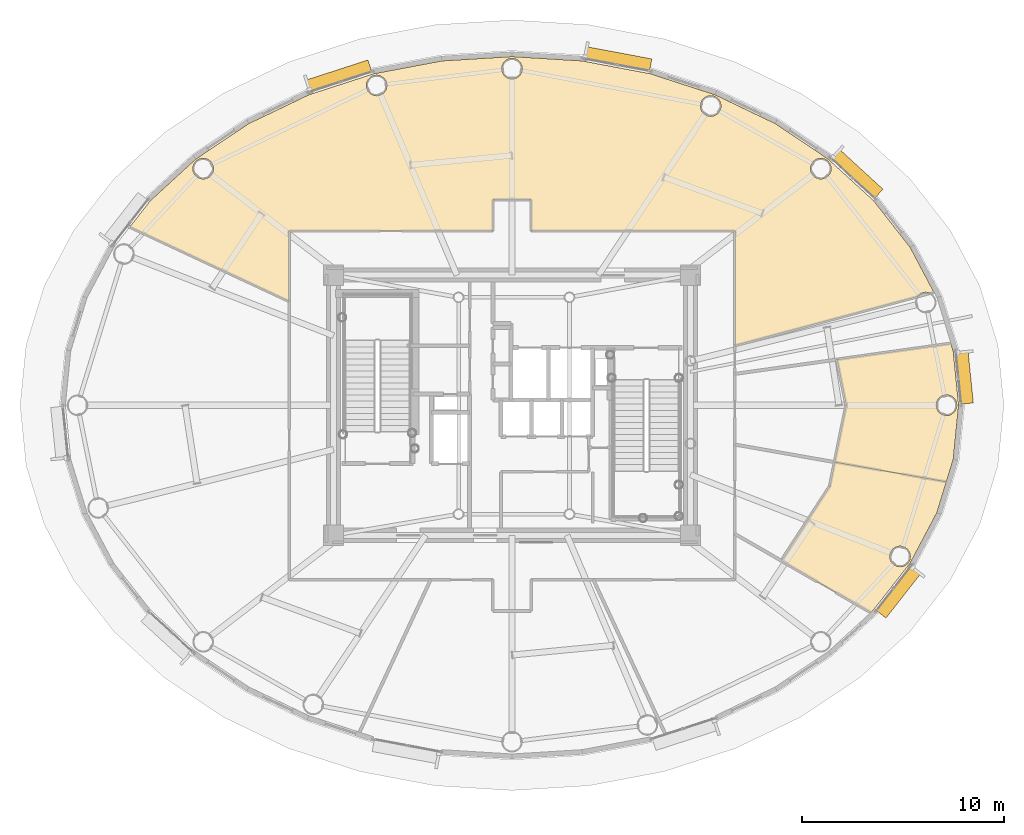
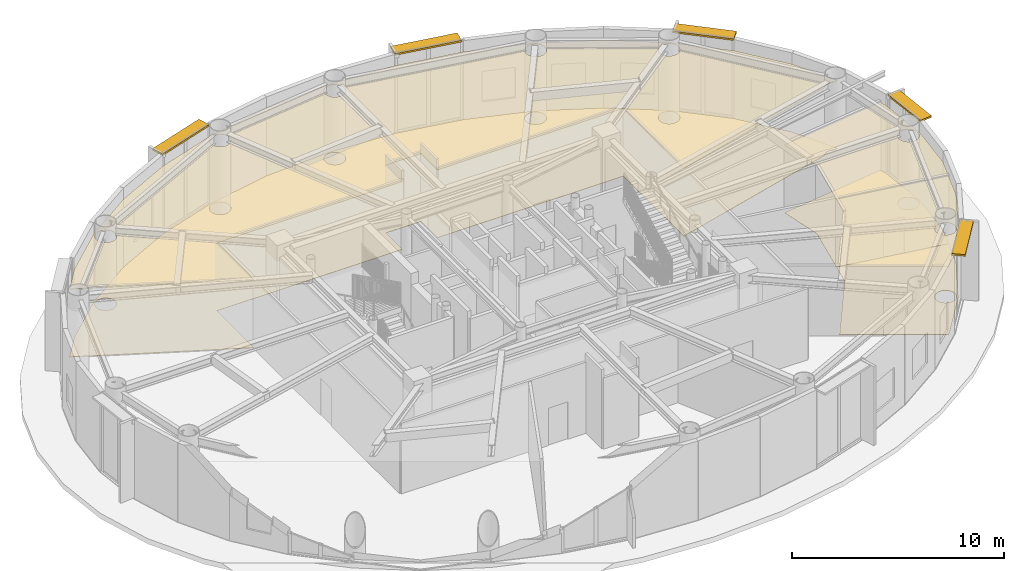
# One storey, part 32 of 32: 6 coverings, 5 shading devices.
"""IFC4 building model written with IfcOpenShell, lengths in metres."""

from ifc_helpers import new_model, si_unit, direction, frame, origin, origin_2d, place, context, subcontext, project, spatial, polyline, rectangle, outline, extrude, source, transform, mapped, material, layer, layer_set, type_object, element, save


model = new_model("IFC4")

# Units and contexts
model_context = context("Model", 3, precision=1e-05, world=origin(), true_north=direction((0.0, 1.0)))
body_context = subcontext(model_context, "Body", "Model", "MODEL_VIEW")
ifc_project = project(units=[si_unit("LENGTHUNIT", "METRE"), si_unit("AREAUNIT", "SQUARE_METRE"), si_unit("VOLUMEUNIT", "CUBIC_METRE"), si_unit("PLANEANGLEUNIT", "RADIAN"), si_unit("MASSUNIT", "GRAM", prefix="KILO")], contexts=[model_context])

# Site, building, storey
site_placement = place(None, origin())
site = spatial("IfcSite", under=ifc_project, at=site_placement, CompositionType="ELEMENT")
building_placement = place(site_placement, origin())
building = spatial("IfcBuilding", under=site, at=building_placement, Name="Linh Dai School and Residence Tower", CompositionType="ELEMENT")
storey_placement = place(building_placement, frame((0.0, 0.0, 268.199951171875)))
storey = spatial("IfcBuildingStorey", under=building, at=storey_placement, Name="L66", CompositionType="ELEMENT", Elevation=268.199951171875)

# Coverings
ifc_material_1 = material(Name="Mineral Fibre Acoustic Suspended Ceiling", Category="masonry")
ifc_layer_1 = layer(ifc_material_1, 0.02001953125)
ifc_layer_set_1 = layer_set([ifc_layer_1], Name="Mineral Fibre Acoustic Suspended Ceiling")
covering_type_1 = type_object("IfcCoveringType", Name="COV-CEIL-AC-20", PredefinedType="CEILING", material=ifc_layer_set_1)
covering_1_placement = place(storey_placement, frame((0.0, 0.0, 3.900146484375)))
element("IfcCovering", 1, at=covering_1_placement, inside=storey, type_object=covering_type_1, Name="L66 High-Zone Sky Transfer Foyer Suspended Ceiling", PredefinedType="CEILING", context=body_context, shape_type="SweptSolid", body=[
    extrude(outline(polyline([(20.31494140625, 39.205810546875), (22.957275390625, 40.972900390625), (25.92333984375, 42.39599609375), (29.1396484375, 43.439208984375), (32.526611328125, 44.075927734375), (36.0, 44.2900390625), (39.473388671875, 44.075927734375), (42.8603515625, 43.439208984375), (46.07666015625, 42.39599609375), (49.042724609375, 40.972900390625), (51.68505859375, 39.205810546875), (53.938720703125, 37.1396484375), (55.7490234375, 34.82666015625), (56.923583984375, 32.6064453125), (56.732421875, 32.55517578125), (56.651123046875, 32.5888671875), (56.5185546875, 32.6064453125), (56.385986328125, 32.5888671875), (56.2626953125, 32.537841796875), (56.156494140625, 32.456298828125), (56.102783203125, 32.38671875), (47.050048828125, 29.960693359375), (47.050048828125, 35.64990234375), (36.949951171875, 35.64990234375), (36.949951171875, 37.199951171875), (35.050048828125, 37.199951171875), (35.050048828125, 35.64990234375), (24.949951171875, 35.64990234375), (24.949951171875, 32.152587890625), (17.043701171875, 35.839599609375), (18.061279296875, 37.1396484375), (20.31494140625, 39.205810546875)]), holes=[polyline([(51.758544921875, 38.477294921875), (51.809814453125, 38.600830078125), (51.8271484375, 38.7333984375), (51.809814453125, 38.865966796875), (51.758544921875, 38.989501953125), (51.67724609375, 39.095458984375), (51.5712890625, 39.1767578125), (51.44775390625, 39.22802734375), (51.315185546875, 39.245361328125), (51.1826171875, 39.22802734375), (51.05908203125, 39.1767578125), (50.953125, 39.095458984375), (50.87158203125, 38.989501953125), (50.820556640625, 38.865966796875), (50.80322265625, 38.7333984375), (50.820556640625, 38.600830078125), (50.87158203125, 38.477294921875), (50.953125, 38.371337890625), (51.05908203125, 38.2900390625), (51.1826171875, 38.239013671875), (51.315185546875, 38.221435546875), (51.44775390625, 38.239013671875), (51.5712890625, 38.2900390625), (51.67724609375, 38.371337890625), (51.758544921875, 38.477294921875)]), polyline([(46.21630859375, 41.476806640625), (46.2978515625, 41.582763671875), (46.34912109375, 41.706298828125), (46.366455078125, 41.8388671875), (46.34912109375, 41.97119140625), (46.2978515625, 42.0947265625), (46.21630859375, 42.20068359375), (46.1103515625, 42.2822265625), (45.98681640625, 42.333251953125), (45.8544921875, 42.350830078125), (45.721923828125, 42.333251953125), (45.598388671875, 42.2822265625), (45.492431640625, 42.20068359375), (45.410888671875, 42.0947265625), (45.35986328125, 41.97119140625), (45.34228515625, 41.8388671875), (45.35986328125, 41.706298828125), (45.410888671875, 41.582763671875), (45.492431640625, 41.476806640625), (45.598388671875, 41.3955078125), (45.721923828125, 41.34423828125), (45.8544921875, 41.326904296875), (45.98681640625, 41.34423828125), (46.1103515625, 41.3955078125), (46.21630859375, 41.476806640625)]), polyline([(36.362060546875, 43.327880859375), (36.443359375, 43.43408203125), (36.49462890625, 43.5576171875), (36.511962890625, 43.68994140625), (36.49462890625, 43.822509765625), (36.443359375, 43.946044921875), (36.362060546875, 44.052001953125), (36.256103515625, 44.13330078125), (36.132568359375, 44.1845703125), (36.0, 44.201904296875), (35.867431640625, 44.1845703125), (35.743896484375, 44.13330078125), (35.637939453125, 44.052001953125), (35.556640625, 43.946044921875), (35.50537109375, 43.822509765625), (35.488037109375, 43.68994140625), (35.50537109375, 43.5576171875), (35.556640625, 43.43408203125), (35.637939453125, 43.327880859375), (35.743896484375, 43.24658203125), (35.867431640625, 43.1953125), (36.0, 43.177978515625), (36.132568359375, 43.1953125), (36.256103515625, 43.24658203125), (36.362060546875, 43.327880859375)]), polyline([(29.649658203125, 42.49560546875), (29.73095703125, 42.601806640625), (29.7822265625, 42.725341796875), (29.799560546875, 42.85791015625), (29.7822265625, 42.990234375), (29.73095703125, 43.11376953125), (29.649658203125, 43.2197265625), (29.543701171875, 43.30126953125), (29.420166015625, 43.352294921875), (29.28759765625, 43.369873046875), (29.155029296875, 43.352294921875), (29.031494140625, 43.30126953125), (28.925537109375, 43.2197265625), (28.84423828125, 43.11376953125), (28.79296875, 42.990234375), (28.775634765625, 42.85791015625), (28.79296875, 42.725341796875), (28.84423828125, 42.601806640625), (28.925537109375, 42.49560546875), (29.031494140625, 42.414306640625), (29.155029296875, 42.36328125), (29.28759765625, 42.345703125), (29.420166015625, 42.36328125), (29.543701171875, 42.414306640625), (29.649658203125, 42.49560546875)]), polyline([(21.046875, 38.371337890625), (21.12841796875, 38.477294921875), (21.179443359375, 38.600830078125), (21.19677734375, 38.7333984375), (21.179443359375, 38.865966796875), (21.12841796875, 38.989501953125), (21.046875, 39.095458984375), (20.94091796875, 39.1767578125), (20.8173828125, 39.22802734375), (20.684814453125, 39.245361328125), (20.55224609375, 39.22802734375), (20.4287109375, 39.1767578125), (20.32275390625, 39.095458984375), (20.241455078125, 38.989501953125), (20.190185546875, 38.865966796875), (20.1728515625, 38.7333984375), (20.190185546875, 38.600830078125), (20.241455078125, 38.477294921875), (20.32275390625, 38.371337890625), (20.4287109375, 38.2900390625), (20.55224609375, 38.239013671875), (20.684814453125, 38.221435546875), (20.8173828125, 38.239013671875), (20.94091796875, 38.2900390625), (21.046875, 38.371337890625)])]), origin(), (0.0, 0.0, 1.0), 0.02001953125),
])
covering_2_placement = place(storey_placement, frame((0.0, 0.0, 3.900146484375)))
element("IfcCovering", 2, at=covering_2_placement, inside=storey, type_object=covering_type_1, Name="L66 High-Zone Sky Sitting Alcove MWC Suspended Ceiling", PredefinedType="CEILING", context=body_context, shape_type="SweptSolid", body=[
    extrude(outline(polyline([(57.540771484375, 23.201904296875), (57.07275390625, 21.67578125), (55.7490234375, 19.17333984375), (53.938720703125, 16.8603515625), (53.793212890625, 16.72705078125), (49.3271484375, 19.3056640625), (49.410400390625, 19.370849609375), (51.7646484375, 22.989013671875), (52.005126953125, 24.177978515625), (57.540771484375, 23.201904296875)]), holes=[polyline([(55.74072265625, 19.633056640625), (55.689453125, 19.756591796875), (55.608154296875, 19.862548828125), (55.502197265625, 19.944091796875), (55.378662109375, 19.9951171875), (55.24609375, 20.0126953125), (55.113525390625, 19.9951171875), (54.989990234375, 19.944091796875), (54.884033203125, 19.862548828125), (54.802734375, 19.756591796875), (54.75146484375, 19.633056640625), (54.734130859375, 19.50048828125), (54.75146484375, 19.3681640625), (54.802734375, 19.24462890625), (54.884033203125, 19.138671875), (54.989990234375, 19.05712890625), (55.113525390625, 19.006103515625), (55.24609375, 18.988525390625), (55.378662109375, 19.006103515625), (55.502197265625, 19.05712890625), (55.608154296875, 19.138671875), (55.689453125, 19.24462890625), (55.74072265625, 19.3681640625), (55.758056640625, 19.50048828125), (55.74072265625, 19.633056640625)])]), origin(), (0.0, 0.0, 1.0), 0.02001953125),
])
covering_3_placement = place(storey_placement, frame((0.0, 0.0, 3.900146484375)))
element("IfcCovering", 3, at=covering_3_placement, inside=storey, type_object=covering_type_1, Name="L66 High-Zone Sky Sitting Alcove FWC Suspended Ceiling", PredefinedType="CEILING", context=body_context, shape_type="SweptSolid", body=[
    extrude(outline(polyline([(57.879150390625, 24.3056640625), (57.540771484375, 23.201904296875), (52.005126953125, 24.177978515625), (52.575927734375, 27.0), (52.117919921875, 29.26513671875), (57.767333984375, 30.05908203125), (57.879150390625, 29.6943359375), (58.14990234375, 27.0), (57.879150390625, 24.3056640625)]), holes=[polyline([(58.044677734375, 27.132568359375), (57.993408203125, 27.256103515625), (57.912109375, 27.362060546875), (57.805908203125, 27.443359375), (57.6826171875, 27.49462890625), (57.550048828125, 27.511962890625), (57.41748046875, 27.49462890625), (57.2939453125, 27.443359375), (57.18798828125, 27.362060546875), (57.106689453125, 27.256103515625), (57.055419921875, 27.132568359375), (57.0380859375, 27.0), (57.055419921875, 26.867431640625), (57.106689453125, 26.743896484375), (57.18798828125, 26.637939453125), (57.2939453125, 26.556640625), (57.41748046875, 26.50537109375), (57.550048828125, 26.488037109375), (57.6826171875, 26.50537109375), (57.805908203125, 26.556640625), (57.912109375, 26.637939453125), (57.993408203125, 26.743896484375), (58.044677734375, 26.867431640625), (58.06201171875, 27.0), (58.044677734375, 27.132568359375)])]), origin(), (0.0, 0.0, 1.0), 0.02001953125),
])
ifc_material_2 = material(Name="Polished Terrazzo Floor Finish", Category="masonry")
ifc_layer_2 = layer(ifc_material_2, 0.02490234375)
ifc_layer_set_2 = layer_set([ifc_layer_2], Name="Polished Terrazzo Floor Finish")
covering_type_2 = type_object("IfcCoveringType", Name="COV-FLR-TRZ-25", PredefinedType="FLOORING", material=ifc_layer_set_2)
covering_4_placement = place(storey_placement, origin())
element("IfcCovering", 4, at=covering_4_placement, inside=storey, type_object=covering_type_2, Name="L66 High-Zone Sky Transfer Foyer Floor Finish", PredefinedType="FLOORING", context=body_context, shape_type="SweptSolid", body=[
    extrude(outline(polyline([(20.31494140625, 39.205810546875), (22.957275390625, 40.972900390625), (25.92333984375, 42.39599609375), (29.1396484375, 43.439208984375), (32.526611328125, 44.075927734375), (36.0, 44.2900390625), (39.473388671875, 44.075927734375), (42.8603515625, 43.439208984375), (46.07666015625, 42.39599609375), (49.042724609375, 40.972900390625), (51.68505859375, 39.205810546875), (53.938720703125, 37.1396484375), (55.7490234375, 34.82666015625), (56.923583984375, 32.6064453125), (56.732421875, 32.55517578125), (56.651123046875, 32.5888671875), (56.5185546875, 32.6064453125), (56.385986328125, 32.5888671875), (56.2626953125, 32.537841796875), (56.156494140625, 32.456298828125), (56.102783203125, 32.38671875), (47.050048828125, 29.960693359375), (47.050048828125, 35.64990234375), (36.949951171875, 35.64990234375), (36.949951171875, 37.199951171875), (35.050048828125, 37.199951171875), (35.050048828125, 35.64990234375), (24.949951171875, 35.64990234375), (24.949951171875, 32.152587890625), (17.043701171875, 35.839599609375), (18.061279296875, 37.1396484375), (20.31494140625, 39.205810546875)]), holes=[polyline([(51.758544921875, 38.477294921875), (51.809814453125, 38.600830078125), (51.8271484375, 38.7333984375), (51.809814453125, 38.865966796875), (51.758544921875, 38.989501953125), (51.67724609375, 39.095458984375), (51.5712890625, 39.1767578125), (51.44775390625, 39.22802734375), (51.315185546875, 39.245361328125), (51.1826171875, 39.22802734375), (51.05908203125, 39.1767578125), (50.953125, 39.095458984375), (50.87158203125, 38.989501953125), (50.820556640625, 38.865966796875), (50.80322265625, 38.7333984375), (50.820556640625, 38.600830078125), (50.87158203125, 38.477294921875), (50.953125, 38.371337890625), (51.05908203125, 38.2900390625), (51.1826171875, 38.239013671875), (51.315185546875, 38.221435546875), (51.44775390625, 38.239013671875), (51.5712890625, 38.2900390625), (51.67724609375, 38.371337890625), (51.758544921875, 38.477294921875)]), polyline([(46.21630859375, 41.476806640625), (46.2978515625, 41.582763671875), (46.34912109375, 41.706298828125), (46.366455078125, 41.8388671875), (46.34912109375, 41.97119140625), (46.2978515625, 42.0947265625), (46.21630859375, 42.20068359375), (46.1103515625, 42.2822265625), (45.98681640625, 42.333251953125), (45.8544921875, 42.350830078125), (45.721923828125, 42.333251953125), (45.598388671875, 42.2822265625), (45.492431640625, 42.20068359375), (45.410888671875, 42.0947265625), (45.35986328125, 41.97119140625), (45.34228515625, 41.8388671875), (45.35986328125, 41.706298828125), (45.410888671875, 41.582763671875), (45.492431640625, 41.476806640625), (45.598388671875, 41.3955078125), (45.721923828125, 41.34423828125), (45.8544921875, 41.326904296875), (45.98681640625, 41.34423828125), (46.1103515625, 41.3955078125), (46.21630859375, 41.476806640625)]), polyline([(36.362060546875, 43.327880859375), (36.443359375, 43.43408203125), (36.49462890625, 43.5576171875), (36.511962890625, 43.68994140625), (36.49462890625, 43.822509765625), (36.443359375, 43.946044921875), (36.362060546875, 44.052001953125), (36.256103515625, 44.13330078125), (36.132568359375, 44.1845703125), (36.0, 44.201904296875), (35.867431640625, 44.1845703125), (35.743896484375, 44.13330078125), (35.637939453125, 44.052001953125), (35.556640625, 43.946044921875), (35.50537109375, 43.822509765625), (35.488037109375, 43.68994140625), (35.50537109375, 43.5576171875), (35.556640625, 43.43408203125), (35.637939453125, 43.327880859375), (35.743896484375, 43.24658203125), (35.867431640625, 43.1953125), (36.0, 43.177978515625), (36.132568359375, 43.1953125), (36.256103515625, 43.24658203125), (36.362060546875, 43.327880859375)]), polyline([(29.649658203125, 42.49560546875), (29.73095703125, 42.601806640625), (29.7822265625, 42.725341796875), (29.799560546875, 42.85791015625), (29.7822265625, 42.990234375), (29.73095703125, 43.11376953125), (29.649658203125, 43.2197265625), (29.543701171875, 43.30126953125), (29.420166015625, 43.352294921875), (29.28759765625, 43.369873046875), (29.155029296875, 43.352294921875), (29.031494140625, 43.30126953125), (28.925537109375, 43.2197265625), (28.84423828125, 43.11376953125), (28.79296875, 42.990234375), (28.775634765625, 42.85791015625), (28.79296875, 42.725341796875), (28.84423828125, 42.601806640625), (28.925537109375, 42.49560546875), (29.031494140625, 42.414306640625), (29.155029296875, 42.36328125), (29.28759765625, 42.345703125), (29.420166015625, 42.36328125), (29.543701171875, 42.414306640625), (29.649658203125, 42.49560546875)]), polyline([(21.046875, 38.371337890625), (21.12841796875, 38.477294921875), (21.179443359375, 38.600830078125), (21.19677734375, 38.7333984375), (21.179443359375, 38.865966796875), (21.12841796875, 38.989501953125), (21.046875, 39.095458984375), (20.94091796875, 39.1767578125), (20.8173828125, 39.22802734375), (20.684814453125, 39.245361328125), (20.55224609375, 39.22802734375), (20.4287109375, 39.1767578125), (20.32275390625, 39.095458984375), (20.241455078125, 38.989501953125), (20.190185546875, 38.865966796875), (20.1728515625, 38.7333984375), (20.190185546875, 38.600830078125), (20.241455078125, 38.477294921875), (20.32275390625, 38.371337890625), (20.4287109375, 38.2900390625), (20.55224609375, 38.239013671875), (20.684814453125, 38.221435546875), (20.8173828125, 38.239013671875), (20.94091796875, 38.2900390625), (21.046875, 38.371337890625)])]), origin(), (0.0, 0.0, 1.0), 0.02001953125),
])
covering_5_placement = place(storey_placement, origin())
element("IfcCovering", 5, at=covering_5_placement, inside=storey, type_object=covering_type_2, Name="L66 High-Zone Sky Sitting Alcove MWC Floor Finish", PredefinedType="FLOORING", context=body_context, shape_type="SweptSolid", body=[
    extrude(outline(polyline([(57.540771484375, 23.201904296875), (57.07275390625, 21.67578125), (55.7490234375, 19.17333984375), (53.938720703125, 16.8603515625), (53.793212890625, 16.72705078125), (49.3271484375, 19.3056640625), (49.410400390625, 19.370849609375), (51.7646484375, 22.989013671875), (52.005126953125, 24.177978515625), (57.540771484375, 23.201904296875)]), holes=[polyline([(55.74072265625, 19.633056640625), (55.689453125, 19.756591796875), (55.608154296875, 19.862548828125), (55.502197265625, 19.944091796875), (55.378662109375, 19.9951171875), (55.24609375, 20.0126953125), (55.113525390625, 19.9951171875), (54.989990234375, 19.944091796875), (54.884033203125, 19.862548828125), (54.802734375, 19.756591796875), (54.75146484375, 19.633056640625), (54.734130859375, 19.50048828125), (54.75146484375, 19.3681640625), (54.802734375, 19.24462890625), (54.884033203125, 19.138671875), (54.989990234375, 19.05712890625), (55.113525390625, 19.006103515625), (55.24609375, 18.988525390625), (55.378662109375, 19.006103515625), (55.502197265625, 19.05712890625), (55.608154296875, 19.138671875), (55.689453125, 19.24462890625), (55.74072265625, 19.3681640625), (55.758056640625, 19.50048828125), (55.74072265625, 19.633056640625)])]), origin(), (0.0, 0.0, 1.0), 0.02001953125),
])
covering_6_placement = place(storey_placement, origin())
element("IfcCovering", 6, at=covering_6_placement, inside=storey, type_object=covering_type_2, Name="L66 High-Zone Sky Sitting Alcove FWC Floor Finish", PredefinedType="FLOORING", context=body_context, shape_type="SweptSolid", body=[
    extrude(outline(polyline([(57.879150390625, 24.3056640625), (57.540771484375, 23.201904296875), (52.005126953125, 24.177978515625), (52.575927734375, 27.0), (52.117919921875, 29.26513671875), (57.767333984375, 30.05908203125), (57.879150390625, 29.6943359375), (58.14990234375, 27.0), (57.879150390625, 24.3056640625)]), holes=[polyline([(58.044677734375, 27.132568359375), (57.993408203125, 27.256103515625), (57.912109375, 27.362060546875), (57.805908203125, 27.443359375), (57.6826171875, 27.49462890625), (57.550048828125, 27.511962890625), (57.41748046875, 27.49462890625), (57.2939453125, 27.443359375), (57.18798828125, 27.362060546875), (57.106689453125, 27.256103515625), (57.055419921875, 27.132568359375), (57.0380859375, 27.0), (57.055419921875, 26.867431640625), (57.106689453125, 26.743896484375), (57.18798828125, 26.637939453125), (57.2939453125, 26.556640625), (57.41748046875, 26.50537109375), (57.550048828125, 26.488037109375), (57.6826171875, 26.50537109375), (57.805908203125, 26.556640625), (57.912109375, 26.637939453125), (57.993408203125, 26.743896484375), (58.044677734375, 26.867431640625), (58.06201171875, 27.0), (58.044677734375, 27.132568359375)])]), origin(), (0.0, 0.0, 1.0), 0.02001953125),
])

# Shading devices
ifc_material_3 = material(Name="Terracotta Ceramic Sunshade", Category="masonry")
ifc_layer_3 = layer(ifc_material_3, 0.10009765625)
ifc_layer_set_3 = layer_set([ifc_layer_3], Name="Terracotta Ceramic Sunshade")
shading_device_type = type_object("IfcShadingDeviceType", Name="SHD-TC-650", PredefinedType="USERDEFINED", material=ifc_layer_set_3)
shared_shape_1 = source(origin(), body_context, "Body", "SweptSolid", [
    extrude(rectangle(XDim=2.62353515625, YDim=0.64990234375, at=origin_2d()), origin(), (0.0, 0.0, 1.0), 0.10009765625),
])
shading_device_1_placement = place(storey_placement, frame((58.421875, 28.387939453125, 4.429931640625), z_axis=(0.0, 0.0, 1.0), x_axis=(0.100008034283, -0.994986629598, 0.0)))
element("IfcShadingDevice", 7, at=shading_device_1_placement, inside=storey, type_object=shading_device_type, Name="L66 Terracotta Horizontal Sunshade Band 01", ObjectType="SUNSHADE", PredefinedType="USERDEFINED", context=body_context, shape_type="MappedRepresentation", body=[
    mapped(shared_shape_1, transform((0.0, 0.0, 0.0), x_axis=(1.0, 0.0, 0.0), y_axis=(0.0, 1.0, 0.0), z_axis=(0.0, 0.0, 1.0), scale=1.0)),
])
shared_shape_2 = source(origin(), body_context, "Body", "SweptSolid", [
    extrude(rectangle(XDim=2.9541015625, YDim=0.64990234375, at=origin_2d()), origin(), (0.0, 0.0, 1.0), 0.10009765625),
])
shading_device_2_placement = place(storey_placement, frame((53.0888671875, 38.474609375, 4.429931640625), z_axis=(0.0, 0.0, 1.0), x_axis=(0.737105846394, -0.67577730889, 0.0)))
element("IfcShadingDevice", 8, at=shading_device_2_placement, inside=storey, type_object=shading_device_type, Name="L66 Terracotta Horizontal Sunshade Band 05", ObjectType="SUNSHADE", PredefinedType="USERDEFINED", context=body_context, shape_type="MappedRepresentation", body=[
    mapped(shared_shape_2, transform((0.0, 0.0, 0.0), x_axis=(1.0, 0.0, 0.0), y_axis=(0.0, 1.0, 0.0), z_axis=(0.0, 0.0, 1.0), scale=1.0)),
])
shared_shape_3 = source(origin(), body_context, "Body", "SweptSolid", [
    extrude(rectangle(XDim=3.323486328125, YDim=0.64990234375, at=origin_2d()), origin(), (0.0, 0.0, 1.0), 0.10009765625),
])
shading_device_3_placement = place(storey_placement, frame((41.24267578125, 44.160400390625, 4.429931640625), z_axis=(0.0, 0.0, 1.0), x_axis=(0.982785325002, -0.184751197452, 0.0)))
element("IfcShadingDevice", 9, at=shading_device_3_placement, inside=storey, type_object=shading_device_type, Name="L66 Terracotta Horizontal Sunshade Band 09", ObjectType="SUNSHADE", PredefinedType="USERDEFINED", context=body_context, shape_type="MappedRepresentation", body=[
    mapped(shared_shape_3, transform((0.0, 0.0, 0.0), x_axis=(1.0, 0.0, 0.0), y_axis=(0.0, 1.0, 0.0), z_axis=(0.0, 0.0, 1.0), scale=1.0)),
])
shared_shape_4 = source(origin(), body_context, "Body", "SweptSolid", [
    extrude(rectangle(XDim=3.26171875, YDim=0.64990234375, at=origin_2d()), origin(), (0.0, 0.0, 1.0), 0.10009765625),
])
shading_device_4_placement = place(storey_placement, frame((27.405029296875, 43.307373046875, 4.429931640625), z_axis=(0.0, 0.0, 1.0), x_axis=(0.951218243545, 0.308518805176, 0.0)))
element("IfcShadingDevice", 10, at=shading_device_4_placement, inside=storey, type_object=shading_device_type, Name="L66 Terracotta Horizontal Sunshade Band 13", ObjectType="SUNSHADE", PredefinedType="USERDEFINED", context=body_context, shape_type="MappedRepresentation", body=[
    mapped(shared_shape_4, transform((0.0, 0.0, 0.0), x_axis=(1.0, 0.0, 0.0), y_axis=(0.0, 1.0, 0.0), z_axis=(0.0, 0.0, 1.0), scale=1.0)),
])
shared_shape_5 = source(origin(), body_context, "Body", "SweptSolid", [
    extrude(rectangle(XDim=2.84033203125, YDim=0.64990234375, at=origin_2d()), origin(), (0.0, 0.0, 1.0), 0.10009765625),
])
shading_device_5_placement = place(storey_placement, frame((55.16650390625, 17.7646484375, 4.429931640625), z_axis=(0.0, 0.0, 1.0), x_axis=(-0.616310813471, -0.78750300393, 0.0)))
element("IfcShadingDevice", 11, at=shading_device_5_placement, inside=storey, type_object=shading_device_type, Name="L66 Terracotta Horizontal Sunshade Band 37", ObjectType="SUNSHADE", PredefinedType="USERDEFINED", context=body_context, shape_type="MappedRepresentation", body=[
    mapped(shared_shape_5, transform((0.0, 0.0, 0.0), x_axis=(1.0, 0.0, 0.0), y_axis=(0.0, 1.0, 0.0), z_axis=(0.0, 0.0, 1.0), scale=1.0)),
])

save(model, "model.ifc")
